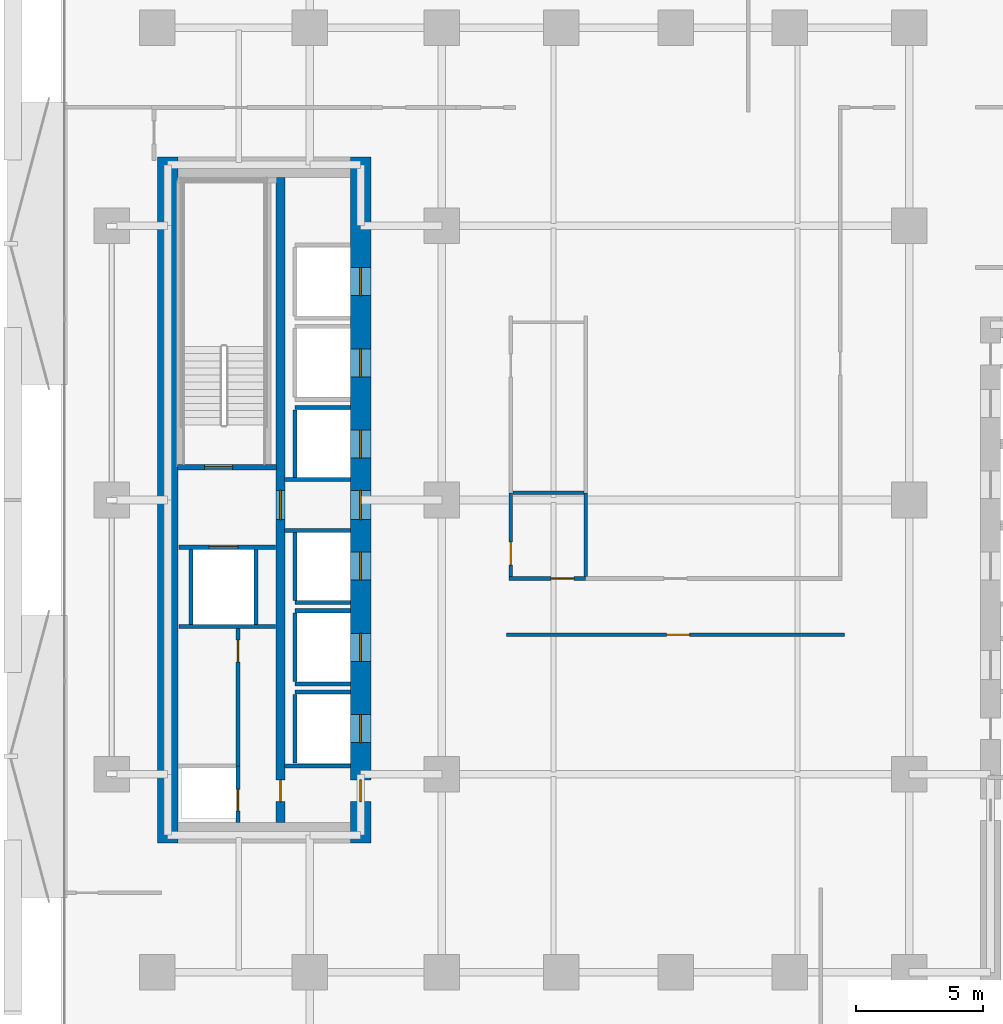
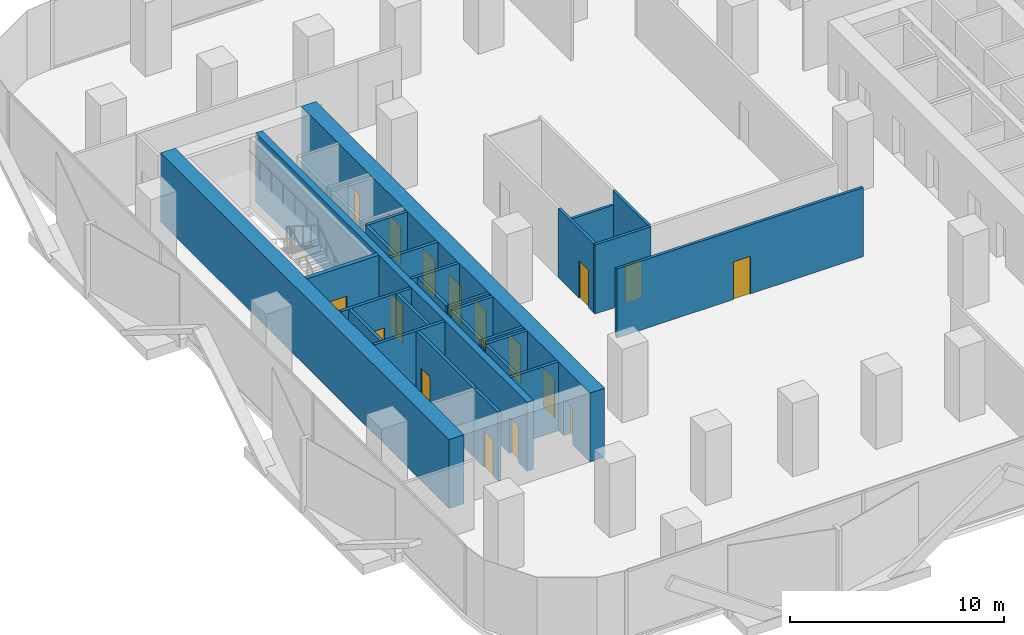
# One storey, part 3 of 15: 27 walls, 17 doors, 17 openings.
"""IFC4 building model written with IfcOpenShell, lengths in metres."""

from ifc_helpers import new_model, si_unit, direction, frame, frame_2d, origin, place, context, subcontext, project, spatial, rectangle, extrude, material, layer, layer_set, type_object, element, fill, save


model = new_model("IFC4")

# Units and contexts
model_context = context("Model", 3, precision=1e-05, world=origin(), true_north=direction((0.0, 1.0)))
body_context = subcontext(model_context, "Body", "Model", "MODEL_VIEW")
ifc_project = project(units=[si_unit("LENGTHUNIT", "METRE"), si_unit("AREAUNIT", "SQUARE_METRE"), si_unit("VOLUMEUNIT", "CUBIC_METRE"), si_unit("PLANEANGLEUNIT", "RADIAN"), si_unit("MASSUNIT", "GRAM", prefix="KILO")], contexts=[model_context])

# Site, building, storey
site_placement = place(None, origin())
site = spatial("IfcSite", under=ifc_project, at=site_placement, CompositionType="ELEMENT")
building_placement = place(site_placement, origin())
building = spatial("IfcBuilding", under=site, at=building_placement, Name="Khairoan Windgate Tower", CompositionType="ELEMENT")
storey_placement = place(building_placement, frame((0.0, 0.0, 34.39990234375)))
storey = spatial("IfcBuildingStorey", under=building, at=storey_placement, Name="L08", CompositionType="ELEMENT", Elevation=34.39990234375)

# Walls
ifc_material_1 = material(Name="Concrete C40/50", Category="concrete")
ifc_layer_1 = layer(ifc_material_1, 0.159912109375, Name="Concrete C40/50")
ifc_layer_set_1 = layer_set([ifc_layer_1], Name="Concrete C40/50")
wall_type_1 = type_object("IfcWallType", Name="Core and Hoistway Enclosure Wall", PredefinedType="STANDARD", material=ifc_layer_set_1)
wall_1_placement = place(storey_placement, frame((-14.989990234375, 3.639892578125, 0.0), z_axis=(0.0, 0.0, 1.0), x_axis=(1.0, 0.0, 0.0)))
element("IfcWall", 1, at=wall_1_placement, inside=storey, type_object=wall_type_1, Name="L08 Lift PL3 Hoistway Divider N", PredefinedType="STANDARD", context=body_context, shape_type="SweptSolid", body=[
    extrude(rectangle(XDim=2.18994140625, YDim=0.159912109375, at=frame_2d((1.094970703125, 0.0))), origin(), (0.0, 0.0, 1.0), 3.940185546875),
])
wall_2_placement = place(storey_placement, frame((-14.989990234375, 0.85009765625, 0.0), z_axis=(0.0, 0.0, 1.0), x_axis=(0.0, 1.0, 0.0)))
element("IfcWall", 2, at=wall_2_placement, inside=storey, type_object=wall_type_1, Name="L08 Lift PL3 Hoistway Back Wall", PredefinedType="STANDARD", context=body_context, shape_type="SweptSolid", body=[
    extrude(rectangle(XDim=2.699951171875, YDim=0.159912109375, at=frame_2d((1.35009765625, 0.0))), origin(), (0.0, 0.0, 1.0), 3.940185546875),
])
wall_3_placement = place(storey_placement, frame((-14.989990234375, -4.0400390625, 0.0), z_axis=(0.0, 0.0, 1.0), x_axis=(1.0, 0.0, 0.0)))
element("IfcWall", 3, at=wall_3_placement, inside=storey, type_object=wall_type_1, Name="L08 Lift PL4 Hoistway Divider S", PredefinedType="STANDARD", context=body_context, shape_type="SweptSolid", body=[
    extrude(rectangle(XDim=2.18994140625, YDim=0.159912109375, at=frame_2d((1.094970703125, 0.0))), origin(), (0.0, 0.0, 1.0), 3.940185546875),
])
wall_4_placement = place(storey_placement, frame((-14.989990234375, -3.949951171875, 0.0), z_axis=(0.0, 0.0, 1.0), x_axis=(0.0, 1.0, 0.0)))
element("IfcWall", 4, at=wall_4_placement, inside=storey, type_object=wall_type_1, Name="L08 Lift PL4 Hoistway Back Wall", PredefinedType="STANDARD", context=body_context, shape_type="SweptSolid", body=[
    extrude(rectangle(XDim=2.699951171875, YDim=0.159912109375, at=frame_2d((1.35009765625, 0.0))), origin(), (0.0, 0.0, 1.0), 3.940185546875),
])
for number, where, z_axis, x_axis, name in (
    (5, (-14.989990234375, -7.239990234375, 0.0), (0.0, 0.0, 1.0), (1.0, 0.0, 0.0), "L08 Lift PL5 Hoistway Divider S"),
    (6, (-14.989990234375, -4.360107421875, 0.0), (0.0, 0.0, 1.0), (1.0, 0.0, 0.0), "L08 Lift PL5 Hoistway Divider N"),
):
    element("IfcWall", number, at=place(storey_placement, frame(where, z_axis=z_axis, x_axis=x_axis)), inside=storey, type_object=wall_type_1, Name=name, PredefinedType="STANDARD", context=body_context, shape_type="SweptSolid", body=[
        extrude(rectangle(XDim=2.18994140625, YDim=0.159912109375, at=frame_2d((1.094970703125, 0.0))), origin(), (0.0, 0.0, 1.0), 3.940185546875),
    ])
wall_5_placement = place(storey_placement, frame((-14.989990234375, -7.14990234375, 0.0), z_axis=(0.0, 0.0, 1.0), x_axis=(0.0, 1.0, 0.0)))
element("IfcWall", 7, at=wall_5_placement, inside=storey, type_object=wall_type_1, Name="L08 Lift PL5 Hoistway Back Wall", PredefinedType="STANDARD", context=body_context, shape_type="SweptSolid", body=[
    extrude(rectangle(XDim=2.699951171875, YDim=0.159912109375, at=frame_2d((1.35009765625, 0.0))), origin(), (0.0, 0.0, 1.0), 3.940185546875),
])
wall_6_placement = place(storey_placement, frame((-14.989990234375, -7.56005859375, 0.0), z_axis=(0.0, 0.0, 1.0), x_axis=(1.0, 0.0, 0.0)))
element("IfcWall", 8, at=wall_6_placement, inside=storey, type_object=wall_type_1, Name="L08 Lift PL6 Hoistway Divider N", PredefinedType="STANDARD", context=body_context, shape_type="SweptSolid", body=[
    extrude(rectangle(XDim=2.18994140625, YDim=0.159912109375, at=frame_2d((1.094970703125, 0.0))), origin(), (0.0, 0.0, 1.0), 3.940185546875),
])
wall_7_placement = place(storey_placement, frame((-14.989990234375, -10.35009765625, 0.0), z_axis=(0.0, 0.0, 1.0), x_axis=(0.0, 1.0, 0.0)))
element("IfcWall", 9, at=wall_7_placement, inside=storey, type_object=wall_type_1, Name="L08 Lift PL6 Hoistway Back Wall", PredefinedType="STANDARD", context=body_context, shape_type="SweptSolid", body=[
    extrude(rectangle(XDim=2.7001953125, YDim=0.159912109375, at=frame_2d((1.35009765625, 0.0))), origin(), (0.0, 0.0, 1.0), 3.940185546875),
])

# Wall, opening, door
wall_8_placement = place(storey_placement, frame((-19.550048828125, -1.860107421875, 0.0), z_axis=(0.0, 0.0, 1.0), x_axis=(1.0, 0.0, 0.0)))
wall_8 = element("IfcWall", 10, at=wall_8_placement, inside=storey, type_object=wall_type_1, Name="L08 Core Shaft Wall SW-FL2-L08", PredefinedType="STANDARD", context=body_context, shape_type="SweptSolid", body=[
    extrude(rectangle(XDim=3.800048828125, YDim=0.159912109375, at=frame_2d((1.89990234375, 0.0))), origin(), (0.0, 0.0, 1.0), 3.940185546875),
])
opening_1_placement = place(wall_8_placement, frame((1.179931640625, 0.0, 0.0)))
opening_1 = element("IfcOpeningElement", 11, at=opening_1_placement, cuts=wall_8, Name="Opening LD-FL", PredefinedType="OPENING", context=body_context, shape_type="SweptSolid", body=[
    extrude(rectangle(XDim=1.14990234375, YDim=2.199951171875, at=frame_2d((0.574951171875, 1.10009765625))), frame((0.0, 0.08984375, 0.0), z_axis=(0.0, -1.0, 0.0), x_axis=(1.0, 0.0, 0.0)), (0.0, 0.0, 1.0), 0.179931640625),
])
ifc_material_2 = material(Name="Steel S355", Category="steel")
door_type_1 = type_object("IfcDoorType", Name="Firefighting Lift Sliding Landing Door LD-FL 1150x2200", OperationType="DOUBLE_DOOR_SLIDING", PredefinedType="DOOR", material=ifc_material_2)
door_1_placement = place(opening_1_placement, origin())
door_1 = element("IfcDoor", 12, at=door_1_placement, inside=storey, type_object=door_type_1, Name="L08 Firefighting Lift FL2 Landing Door", OperationType="DOUBLE_DOOR_SLIDING", OverallHeight=2.199951171875, OverallWidth=1.14990234375, PredefinedType="DOOR", context=body_context, shape_type="SweptSolid", body=[
    extrude(rectangle(XDim=1.14990234375, YDim=2.199951171875, at=frame_2d((0.574951171875, 1.10009765625))), frame((0.0, 0.02490234375, 0.0), z_axis=(0.0, -1.0, 0.0), x_axis=(1.0, 0.0, 0.0)), (0.0, 0.0, 1.0), 0.050048828125),
])
fill(opening_1, door_1)

# Walls
wall_9_placement = place(storey_placement, frame((-19.550048828125, -4.97998046875, 0.0), z_axis=(0.0, 0.0, 1.0), x_axis=(1.0, 0.0, 0.0)))
element("IfcWall", 13, at=wall_9_placement, inside=storey, type_object=wall_type_1, Name="L08 Core Shaft Wall SW-FL2B-L08", PredefinedType="STANDARD", context=body_context, shape_type="SweptSolid", body=[
    extrude(rectangle(XDim=3.800048828125, YDim=0.159912109375, at=frame_2d((1.89990234375, 0.0))), origin(), (0.0, 0.0, 1.0), 3.940185546875),
])
for number, where, z_axis, x_axis, name in (
    (14, (-19.080078125, -4.89990234375, 0.0), (0.0, 0.0, 1.0), (0.0, 1.0, 0.0), "L08 Core Shaft Wall SW-FL2W-L08"),
    (15, (-16.52001953125, -4.89990234375, 0.0), (0.0, 0.0, 1.0), (0.0, 1.0, 0.0), "L08 Core Shaft Wall SW-FL2E-L08"),
):
    element("IfcWall", number, at=place(storey_placement, frame(where, z_axis=z_axis, x_axis=x_axis)), inside=storey, type_object=wall_type_1, Name=name, PredefinedType="STANDARD", context=body_context, shape_type="SweptSolid", body=[
        extrude(rectangle(XDim=2.9599609375, YDim=0.159912109375, at=frame_2d((1.47998046875, 0.0))), origin(), (0.0, 0.0, 1.0), 3.940185546875),
    ])
for number, where, z_axis, x_axis, name in (
    (16, (-15.39990234375, 0.800048828125, 0.0), (0.0, 0.0, 1.0), (1.0, 0.0, 0.0), "L08 Core Shaft Wall SW-WV1-L08"),
    (17, (-15.39990234375, -1.199951171875, 0.0), (0.0, 0.0, 1.0), (1.0, 0.0, 0.0), "L08 Core Shaft Wall SW-WV2-L08"),
    (18, (-15.39990234375, -10.47998046875, 0.0), (0.0, 0.0, 1.0), (1.0, 0.0, 0.0), "L08 Core Shaft Wall SW-WSV-L08"),
):
    element("IfcWall", number, at=place(storey_placement, frame(where, z_axis=z_axis, x_axis=x_axis)), inside=storey, type_object=wall_type_1, Name=name, PredefinedType="STANDARD", context=body_context, shape_type="SweptSolid", body=[
        extrude(rectangle(XDim=2.599853515625, YDim=0.159912109375, at=frame_2d((1.2998046875, 0.0))), origin(), (0.0, 0.0, 1.0), 3.940185546875),
    ])
ifc_material_3 = material(Name="Acoustic Fire-Rated Gypsum Partition", Category="gypsum")
ifc_layer_2 = layer(ifc_material_3, 0.139892578125, Name="Acoustic Fire-Rated Gypsum Partition")
ifc_layer_set_2 = layer_set([ifc_layer_2], Name="Acoustic Fire-Rated Gypsum Partition")
wall_type_2 = type_object("IfcWallType", Name="Inter-Tenancy Compartment Wall", PredefinedType="PARTITIONING", material=ifc_layer_set_2)
wall_10_placement = place(storey_placement, frame((-6.409912109375, 0.280029296875, 0.0), z_axis=(0.0, 0.0, 1.0), x_axis=(1.0, 0.0, 0.0)))
element("IfcWall", 19, at=wall_10_placement, inside=storey, type_object=wall_type_2, Name="L08 Interior Partition 029", PredefinedType="PARTITIONING", context=body_context, shape_type="SweptSolid", body=[
    extrude(rectangle(XDim=2.7998046875, YDim=0.139892578125, at=frame_2d((1.39990234375, 0.0))), origin(), (0.0, 0.0, 1.0), 3.14013671875),
])
wall_11_placement = place(storey_placement, frame((-3.5400390625, -3.02001953125, 0.0), z_axis=(0.0, 0.0, 1.0), x_axis=(0.0, 1.0, 0.0)))
element("IfcWall", 20, at=wall_11_placement, inside=storey, type_object=wall_type_2, Name="L08 Interior Partition 030", PredefinedType="PARTITIONING", context=body_context, shape_type="SweptSolid", body=[
    extrude(rectangle(XDim=3.300048828125, YDim=0.139892578125, at=frame_2d((1.64990234375, 0.0))), origin(), (0.0, 0.0, 1.0), 3.940185546875),
])

# Wall, opening, door
ifc_material_4 = material(Name="Concrete C40/50", Category="concrete")
ifc_layer_3 = layer(ifc_material_4, 0.159912109375, Name="Concrete C40/50")
ifc_layer_set_3 = layer_set([ifc_layer_3], Name="Concrete C40/50")
wall_type_3 = type_object("IfcWallType", Name="Plant and Refuge Compartment Wall", PredefinedType="PARTITIONING", material=ifc_layer_set_3)
wall_12_placement = place(storey_placement, frame((-17.22998046875, -12.699951171875, 0.0), z_axis=(0.0, 0.0, 1.0), x_axis=(0.0, 1.0, 0.0)))
wall_12 = element("IfcWall", 21, at=wall_12_placement, inside=storey, type_object=wall_type_3, Name="L08 Interior Partition 001", PredefinedType="PARTITIONING", context=body_context, shape_type="SweptSolid", body=[
    extrude(rectangle(XDim=2.22998046875, YDim=0.159912109375, at=frame_2d((1.114990234375, 0.0))), origin(), (0.0, 0.0, 1.0), 3.940185546875),
])
opening_2_placement = place(wall_12_placement, frame((0.4599609375, 0.0, 0.0)))
opening_2 = element("IfcOpeningElement", 22, at=opening_2_placement, cuts=wall_12, Name="Opening FD-SRV", PredefinedType="OPENING", context=body_context, shape_type="SweptSolid", body=[
    extrude(rectangle(XDim=0.85009765625, YDim=2.10009765625, at=frame_2d((0.425048828125, 1.050048828125))), frame((0.0, 0.08984375, 0.0), z_axis=(0.0, -1.0, 0.0), x_axis=(1.0, 0.0, 0.0)), (0.0, 0.0, 1.0), 0.179931640625),
])
ifc_material_5 = material(Name="Steel S355", Category="steel")
door_type_2 = type_object("IfcDoorType", Name="Core Service and Riser Fire Door FD-SRV 850x2100", OperationType="NOTDEFINED", PredefinedType="DOOR", material=ifc_material_5)
door_2_placement = place(opening_2_placement, origin())
door_2 = element("IfcDoor", 23, at=door_2_placement, inside=storey, type_object=door_type_2, Name="L08 L08-04-L08-05 Door", OperationType="SINGLE_SWING_LEFT", OverallHeight=2.10009765625, OverallWidth=0.85009765625, PredefinedType="DOOR", context=body_context, shape_type="SweptSolid", body=[
    extrude(rectangle(XDim=0.85009765625, YDim=2.10009765625, at=frame_2d((0.425048828125, 1.050048828125))), frame((0.0, 0.02490234375, 0.0), z_axis=(0.0, -1.0, 0.0), x_axis=(1.0, 0.0, 0.0)), (0.0, 0.0, 1.0), 0.050048828125),
])
fill(opening_2, door_2)

wall_13_placement = place(storey_placement, frame((-17.22998046875, -10.469970703125, 0.0), z_axis=(0.0, 0.0, 1.0), x_axis=(0.0, 1.0, 0.0)))
wall_13 = element("IfcWall", 24, at=wall_13_placement, inside=storey, type_object=wall_type_3, Name="L08 Interior Partition 002", PredefinedType="PARTITIONING", context=body_context, shape_type="SweptSolid", body=[
    extrude(rectangle(XDim=5.409912109375, YDim=0.159912109375, at=frame_2d((2.705078125, 0.0))), origin(), (0.0, 0.0, 1.0), 3.940185546875),
])
opening_3_placement = place(wall_13_placement, frame((4.10009765625, 0.0, 0.0)))
opening_3 = element("IfcOpeningElement", 25, at=opening_3_placement, cuts=wall_13, Name="Opening FD-SRV", PredefinedType="OPENING", context=body_context, shape_type="SweptSolid", body=[
    extrude(rectangle(XDim=0.85009765625, YDim=2.10009765625, at=frame_2d((0.425048828125, 1.050048828125))), frame((0.0, 0.08984375, 0.0), z_axis=(0.0, -1.0, 0.0), x_axis=(1.0, 0.0, 0.0)), (0.0, 0.0, 1.0), 0.179931640625),
])
door_3_placement = place(opening_3_placement, origin())
door_3 = element("IfcDoor", 26, at=door_3_placement, inside=storey, type_object=door_type_2, Name="L08 L08-04-L08-06 Door", OperationType="SINGLE_SWING_RIGHT", OverallHeight=2.10009765625, OverallWidth=0.85009765625, PredefinedType="DOOR", context=body_context, shape_type="SweptSolid", body=[
    extrude(rectangle(XDim=0.85009765625, YDim=2.10009765625, at=frame_2d((0.425048828125, 1.050048828125))), frame((0.0, 0.02490234375, 0.0), z_axis=(0.0, -1.0, 0.0), x_axis=(1.0, 0.0, 0.0)), (0.0, 0.0, 1.0), 0.050048828125),
])
fill(opening_3, door_3)

ifc_material_6 = material(Name="Acoustic Fire-Rated Gypsum Partition", Category="gypsum")
ifc_layer_4 = layer(ifc_material_6, 0.14990234375, Name="Acoustic Fire-Rated Gypsum Partition")
ifc_layer_set_4 = layer_set([ifc_layer_4], Name="Acoustic Fire-Rated Gypsum Partition")
wall_type_4 = type_object("IfcWallType", Name="Rated Corridor Partition Wall", PredefinedType="PARTITIONING", material=ifc_layer_set_4)
wall_14_placement = place(storey_placement, frame((-6.56005859375, -3.094970703125, 0.0), z_axis=(0.0, 0.0, 1.0), x_axis=(1.0, 0.0, 0.0)))
wall_14 = element("IfcWall", 27, at=wall_14_placement, inside=storey, type_object=wall_type_4, Name="L08 Interior Partition 011", PredefinedType="PARTITIONING", context=body_context, shape_type="SweptSolid", body=[
    extrude(rectangle(XDim=3.02001953125, YDim=0.14990234375, at=frame_2d((1.510009765625, 0.0))), origin(), (0.0, 0.0, 1.0), 3.940185546875),
])
opening_4_placement = place(wall_14_placement, frame((1.659912109375, 0.0, 0.0)))
opening_4 = element("IfcOpeningElement", 28, at=opening_4_placement, cuts=wall_14, Name="Opening FD-ENT", PredefinedType="OPENING", context=body_context, shape_type="SweptSolid", body=[
    extrude(rectangle(XDim=0.89990234375, YDim=2.14990234375, at=frame_2d((0.449951171875, 1.074951171875))), frame((0.0, 0.0849609375, 0.0), z_axis=(0.0, -1.0, 0.0), x_axis=(1.0, 0.0, 0.0)), (0.0, 0.0, 1.0), 0.169921875),
])
ifc_material_7 = material(Name="Timber Fire-Rated Core", Category="wood")
door_type_3 = type_object("IfcDoorType", Name="Unit and Office Fire Entrance Door FD-ENT 900x2150", OperationType="NOTDEFINED", PredefinedType="DOOR", material=ifc_material_7)
door_4_placement = place(opening_4_placement, origin())
door_4 = element("IfcDoor", 29, at=door_4_placement, inside=storey, type_object=door_type_3, Name="L08 L08-31-L08-43 Door", OperationType="SINGLE_SWING_LEFT", OverallHeight=2.14990234375, OverallWidth=0.89990234375, PredefinedType="DOOR", context=body_context, shape_type="SweptSolid", body=[
    extrude(rectangle(XDim=0.89990234375, YDim=2.14990234375, at=frame_2d((0.449951171875, 1.074951171875))), frame((0.0, 0.02490234375, 0.0), z_axis=(0.0, -1.0, 0.0), x_axis=(1.0, 0.0, 0.0)), (0.0, 0.0, 1.0), 0.050048828125),
])
fill(opening_4, door_4)

wall_15_placement = place(storey_placement, frame((-6.659912109375, -5.304931640625, 0.0), z_axis=(0.0, 0.0, 1.0), x_axis=(1.0, 0.0, 0.0)))
wall_15 = element("IfcWall", 30, at=wall_15_placement, inside=storey, type_object=wall_type_4, Name="L08 Interior Partition 013", PredefinedType="PARTITIONING", context=body_context, shape_type="SweptSolid", body=[
    extrude(rectangle(XDim=13.31982421875, YDim=0.14990234375, at=frame_2d((6.659912109375, 0.0))), origin(), (0.0, 0.0, 1.0), 3.940185546875),
])
opening_5_placement = place(wall_15_placement, frame((6.310791015625, 0.0, 0.0)))
opening_5 = element("IfcOpeningElement", 31, at=opening_5_placement, cuts=wall_15, Name="Opening FD-ENT", PredefinedType="OPENING", context=body_context, shape_type="SweptSolid", body=[
    extrude(rectangle(XDim=0.89990234375, YDim=2.14990234375, at=frame_2d((0.449951171875, 1.074951171875))), frame((0.0, 0.0849609375, 0.0), z_axis=(0.0, -1.0, 0.0), x_axis=(1.0, 0.0, 0.0)), (0.0, 0.0, 1.0), 0.169921875),
])
door_5_placement = place(opening_5_placement, origin())
door_5 = element("IfcDoor", 32, at=door_5_placement, inside=storey, type_object=door_type_3, Name="L08 L08-31-L08-46 Door", OperationType="SINGLE_SWING_LEFT", OverallHeight=2.14990234375, OverallWidth=0.89990234375, PredefinedType="DOOR", context=body_context, shape_type="SweptSolid", body=[
    extrude(rectangle(XDim=0.89990234375, YDim=2.14990234375, at=frame_2d((0.449951171875, 1.074951171875))), frame((0.0, 0.02490234375, 0.0), z_axis=(0.0, -1.0, 0.0), x_axis=(1.0, 0.0, 0.0)), (0.0, 0.0, 1.0), 0.050048828125),
])
fill(opening_5, door_5)

wall_16_placement = place(storey_placement, frame((-6.485107421875, -3.02001953125, 0.0), z_axis=(0.0, 0.0, 1.0), x_axis=(0.0, 1.0, 0.0)))
wall_16 = element("IfcWall", 33, at=wall_16_placement, inside=storey, type_object=wall_type_4, Name="L08 Interior Partition 015", PredefinedType="PARTITIONING", context=body_context, shape_type="SweptSolid", body=[
    extrude(rectangle(XDim=3.300048828125, YDim=0.14990234375, at=frame_2d((1.64990234375, 0.0))), origin(), (0.0, 0.0, 1.0), 3.940185546875),
])
opening_6_placement = place(wall_16_placement, frame((0.4599609375, 0.0, 0.0)))
opening_6 = element("IfcOpeningElement", 34, at=opening_6_placement, cuts=wall_16, Name="Opening FD-ENT", PredefinedType="OPENING", context=body_context, shape_type="SweptSolid", body=[
    extrude(rectangle(XDim=0.89990234375, YDim=2.14990234375, at=frame_2d((0.449951171875, 1.074951171875))), frame((0.0, 0.0849609375, 0.0), z_axis=(0.0, -1.0, 0.0), x_axis=(1.0, 0.0, 0.0)), (0.0, 0.0, 1.0), 0.169921875),
])
door_6_placement = place(opening_6_placement, origin())
door_6 = element("IfcDoor", 35, at=door_6_placement, inside=storey, type_object=door_type_3, Name="L08 L08-32-L08-43 Door", OperationType="SINGLE_SWING_LEFT", OverallHeight=2.14990234375, OverallWidth=0.89990234375, PredefinedType="DOOR", context=body_context, shape_type="SweptSolid", body=[
    extrude(rectangle(XDim=0.89990234375, YDim=2.14990234375, at=frame_2d((0.449951171875, 1.074951171875))), frame((0.0, 0.02490234375, 0.0), z_axis=(0.0, -1.0, 0.0), x_axis=(1.0, 0.0, 0.0)), (0.0, 0.0, 1.0), 0.050048828125),
])
fill(opening_6, door_6)

# Wall
ifc_material_8 = material(Name="Concrete C70/85", Category="concrete")
ifc_layer_5 = layer(ifc_material_8, 0.800048828125, Name="Concrete C70/85")
ifc_layer_set_5 = layer_set([ifc_layer_5], Name="Concrete C70/85")
wall_type_5 = type_object("IfcWallType", Name="Shear Wall CW-W1 800mm", PredefinedType="SHEAR", material=ifc_layer_set_5)
wall_17_placement = place(storey_placement, frame((-20.0, -13.5, 0.0), z_axis=(0.0, 0.0, 1.0), x_axis=(0.0, 1.0, 0.0)))
element("IfcWall", 36, at=wall_17_placement, inside=storey, type_object=wall_type_5, Name="W Core West Shear Wall L08", PredefinedType="SHEAR", context=body_context, shape_type="SweptSolid", body=[
    extrude(rectangle(XDim=27.0, YDim=0.800048828125, at=frame_2d((13.5, 0.0))), origin(), (0.0, 0.0, 1.0), 3.940185546875),
])

# Wall, openings, doors
wall_18_placement = place(storey_placement, frame((-12.39990234375, -13.5, 0.0), z_axis=(0.0, 0.0, 1.0), x_axis=(0.0, 1.0, 0.0)))
wall_18 = element("IfcWall", 37, at=wall_18_placement, inside=storey, type_object=wall_type_5, Name="W Core East Shear Wall L08", PredefinedType="SHEAR", context=body_context, shape_type="SweptSolid", body=[
    extrude(rectangle(XDim=27.0, YDim=0.800048828125, at=frame_2d((13.5, 0.0))), origin(), (0.0, 0.0, 1.0), 3.940185546875),
])
opening_7_placement = place(wall_18_placement, frame((21.550048828125, 0.0, 0.0)))
opening_7 = element("IfcOpeningElement", 38, at=opening_7_placement, cuts=wall_18, Name="Opening LD-PL", PredefinedType="OPENING", context=body_context, shape_type="SweptSolid", body=[
    extrude(rectangle(XDim=1.10009765625, YDim=2.199951171875, at=frame_2d((0.550048828125, 1.10009765625))), frame((0.0, 0.409912109375, 0.0), z_axis=(0.0, -1.0, 0.0), x_axis=(1.0, 0.0, 0.0)), (0.0, 0.0, 1.0), 0.820068359375),
])
opening_8_placement = place(wall_18_placement, frame((18.35009765625, 0.0, 0.0)))
opening_8 = element("IfcOpeningElement", 39, at=opening_8_placement, cuts=wall_18, Name="Opening LD-PL", PredefinedType="OPENING", context=body_context, shape_type="SweptSolid", body=[
    extrude(rectangle(XDim=1.10009765625, YDim=2.199951171875, at=frame_2d((0.550048828125, 1.10009765625))), frame((0.0, 0.409912109375, 0.0), z_axis=(0.0, -1.0, 0.0), x_axis=(1.0, 0.0, 0.0)), (0.0, 0.0, 1.0), 0.820068359375),
])
opening_9_placement = place(wall_18_placement, frame((15.14990234375, 0.0, 0.0)))
opening_9 = element("IfcOpeningElement", 40, at=opening_9_placement, cuts=wall_18, Name="Opening LD-PL", PredefinedType="OPENING", context=body_context, shape_type="SweptSolid", body=[
    extrude(rectangle(XDim=1.10009765625, YDim=2.199951171875, at=frame_2d((0.550048828125, 1.10009765625))), frame((0.0, 0.409912109375, 0.0), z_axis=(0.0, -1.0, 0.0), x_axis=(1.0, 0.0, 0.0)), (0.0, 0.0, 1.0), 0.820068359375),
])
opening_10_placement = place(wall_18_placement, frame((10.35009765625, 0.0, 0.0)))
opening_10 = element("IfcOpeningElement", 41, at=opening_10_placement, cuts=wall_18, Name="Opening LD-PL", PredefinedType="OPENING", context=body_context, shape_type="SweptSolid", body=[
    extrude(rectangle(XDim=1.10009765625, YDim=2.199951171875, at=frame_2d((0.550048828125, 1.10009765625))), frame((0.0, 0.409912109375, 0.0), z_axis=(0.0, -1.0, 0.0), x_axis=(1.0, 0.0, 0.0)), (0.0, 0.0, 1.0), 0.820068359375),
])
opening_11_placement = place(wall_18_placement, frame((7.14990234375, 0.0, 0.0)))
opening_11 = element("IfcOpeningElement", 42, at=opening_11_placement, cuts=wall_18, Name="Opening LD-PL", PredefinedType="OPENING", context=body_context, shape_type="SweptSolid", body=[
    extrude(rectangle(XDim=1.10009765625, YDim=2.199951171875, at=frame_2d((0.550048828125, 1.10009765625))), frame((0.0, 0.409912109375, 0.0), z_axis=(0.0, -1.0, 0.0), x_axis=(1.0, 0.0, 0.0)), (0.0, 0.0, 1.0), 0.820068359375),
])
opening_12_placement = place(wall_18_placement, frame((3.949951171875, 0.0, 0.0)))
opening_12 = element("IfcOpeningElement", 43, at=opening_12_placement, cuts=wall_18, Name="Opening LD-PL", PredefinedType="OPENING", context=body_context, shape_type="SweptSolid", body=[
    extrude(rectangle(XDim=1.10009765625, YDim=2.199951171875, at=frame_2d((0.550048828125, 1.10009765625))), frame((0.0, 0.409912109375, 0.0), z_axis=(0.0, -1.0, 0.0), x_axis=(1.0, 0.0, 0.0)), (0.0, 0.0, 1.0), 0.820068359375),
])
opening_13_placement = place(wall_18_placement, frame((12.72509765625, 0.0, 0.0)))
opening_13 = element("IfcOpeningElement", 44, at=opening_13_placement, cuts=wall_18, Name="Opening FD-FFL", PredefinedType="OPENING", context=body_context, shape_type="SweptSolid", body=[
    extrude(rectangle(XDim=1.14990234375, YDim=2.199951171875, at=frame_2d((0.574951171875, 1.10009765625))), frame((0.0, 0.409912109375, 0.0), z_axis=(0.0, -1.0, 0.0), x_axis=(1.0, 0.0, 0.0)), (0.0, 0.0, 1.0), 0.820068359375),
])
opening_14_placement = place(wall_18_placement, frame((1.625, 0.0, 0.0)))
opening_14 = element("IfcOpeningElement", 45, at=opening_14_placement, cuts=wall_18, Name="Opening FD-SRV", PredefinedType="OPENING", context=body_context, shape_type="SweptSolid", body=[
    extrude(rectangle(XDim=0.85009765625, YDim=2.10009765625, at=frame_2d((0.425048828125, 1.050048828125))), frame((0.0, 0.409912109375, 0.0), z_axis=(0.0, -1.0, 0.0), x_axis=(1.0, 0.0, 0.0)), (0.0, 0.0, 1.0), 0.820068359375),
])
door_7_placement = place(opening_14_placement, origin())
door_7 = element("IfcDoor", 46, at=door_7_placement, inside=storey, type_object=door_type_2, Name="L08 West Core Service Vestibule Outer Door", OperationType="SINGLE_SWING_LEFT", OverallHeight=2.10009765625, OverallWidth=0.85009765625, PredefinedType="DOOR", context=body_context, shape_type="SweptSolid", body=[
    extrude(rectangle(XDim=0.85009765625, YDim=2.10009765625, at=frame_2d((0.425048828125, 1.050048828125))), frame((0.0, 0.02490234375, 0.0), z_axis=(0.0, -1.0, 0.0), x_axis=(1.0, 0.0, 0.0)), (0.0, 0.0, 1.0), 0.050048828125),
])
fill(opening_14, door_7)
ifc_material_9 = material(Name="Steel S355", Category="steel")
door_type_4 = type_object("IfcDoorType", Name="Firefighting Lobby Fire Door FD-FFL 1150x2200", OperationType="NOTDEFINED", PredefinedType="DOOR", material=ifc_material_9)
door_8_placement = place(opening_13_placement, origin())
door_8 = element("IfcDoor", 47, at=door_8_placement, inside=storey, type_object=door_type_4, Name="L08 West Core Vestibule Entry Door", OperationType="SINGLE_SWING_LEFT", OverallHeight=2.199951171875, OverallWidth=1.14990234375, PredefinedType="DOOR", context=body_context, shape_type="SweptSolid", body=[
    extrude(rectangle(XDim=1.14990234375, YDim=2.199951171875, at=frame_2d((0.574951171875, 1.10009765625))), frame((0.0, 0.02490234375, 0.0), z_axis=(0.0, -1.0, 0.0), x_axis=(1.0, 0.0, 0.0)), (0.0, 0.0, 1.0), 0.050048828125),
])
fill(opening_13, door_8)
ifc_material_10 = material(Name="Anodised Bronze Aluminium 6063-T6", Category="aluminium")
door_type_5 = type_object("IfcDoorType", Name="Passenger Lift Sliding Landing Door LD-PL 1100x2200", OperationType="DOUBLE_DOOR_SLIDING", PredefinedType="DOOR", material=ifc_material_10)
door_9_placement = place(opening_7_placement, origin())
door_9 = element("IfcDoor", 48, at=door_9_placement, inside=storey, type_object=door_type_5, Name="L08 Lift PL1 Sliding Landing Door", OperationType="DOUBLE_DOOR_SLIDING", OverallHeight=2.199951171875, OverallWidth=1.10009765625, PredefinedType="DOOR", context=body_context, shape_type="SweptSolid", body=[
    extrude(rectangle(XDim=1.10009765625, YDim=2.199951171875, at=frame_2d((0.550048828125, 1.10009765625))), frame((0.0, 0.02490234375, 0.0), z_axis=(0.0, -1.0, 0.0), x_axis=(1.0, 0.0, 0.0)), (0.0, 0.0, 1.0), 0.050048828125),
])
fill(opening_7, door_9)
door_10_placement = place(opening_8_placement, origin())
door_10 = element("IfcDoor", 49, at=door_10_placement, inside=storey, type_object=door_type_5, Name="L08 Lift PL2 Sliding Landing Door", OperationType="DOUBLE_DOOR_SLIDING", OverallHeight=2.199951171875, OverallWidth=1.10009765625, PredefinedType="DOOR", context=body_context, shape_type="SweptSolid", body=[
    extrude(rectangle(XDim=1.10009765625, YDim=2.199951171875, at=frame_2d((0.550048828125, 1.10009765625))), frame((0.0, 0.02490234375, 0.0), z_axis=(0.0, -1.0, 0.0), x_axis=(1.0, 0.0, 0.0)), (0.0, 0.0, 1.0), 0.050048828125),
])
fill(opening_8, door_10)
door_11_placement = place(opening_9_placement, origin())
door_11 = element("IfcDoor", 50, at=door_11_placement, inside=storey, type_object=door_type_5, Name="L08 Lift PL3 Sliding Landing Door", OperationType="DOUBLE_DOOR_SLIDING", OverallHeight=2.199951171875, OverallWidth=1.10009765625, PredefinedType="DOOR", context=body_context, shape_type="SweptSolid", body=[
    extrude(rectangle(XDim=1.10009765625, YDim=2.199951171875, at=frame_2d((0.550048828125, 1.10009765625))), frame((0.0, 0.02490234375, 0.0), z_axis=(0.0, -1.0, 0.0), x_axis=(1.0, 0.0, 0.0)), (0.0, 0.0, 1.0), 0.050048828125),
])
fill(opening_9, door_11)
door_12_placement = place(opening_10_placement, origin())
door_12 = element("IfcDoor", 51, at=door_12_placement, inside=storey, type_object=door_type_5, Name="L08 Lift PL4 Sliding Landing Door", OperationType="DOUBLE_DOOR_SLIDING", OverallHeight=2.199951171875, OverallWidth=1.10009765625, PredefinedType="DOOR", context=body_context, shape_type="SweptSolid", body=[
    extrude(rectangle(XDim=1.10009765625, YDim=2.199951171875, at=frame_2d((0.550048828125, 1.10009765625))), frame((0.0, 0.02490234375, 0.0), z_axis=(0.0, -1.0, 0.0), x_axis=(1.0, 0.0, 0.0)), (0.0, 0.0, 1.0), 0.050048828125),
])
fill(opening_10, door_12)
door_13_placement = place(opening_11_placement, origin())
door_13 = element("IfcDoor", 52, at=door_13_placement, inside=storey, type_object=door_type_5, Name="L08 Lift PL5 Sliding Landing Door", OperationType="DOUBLE_DOOR_SLIDING", OverallHeight=2.199951171875, OverallWidth=1.10009765625, PredefinedType="DOOR", context=body_context, shape_type="SweptSolid", body=[
    extrude(rectangle(XDim=1.10009765625, YDim=2.199951171875, at=frame_2d((0.550048828125, 1.10009765625))), frame((0.0, 0.02490234375, 0.0), z_axis=(0.0, -1.0, 0.0), x_axis=(1.0, 0.0, 0.0)), (0.0, 0.0, 1.0), 0.050048828125),
])
fill(opening_11, door_13)
door_14_placement = place(opening_12_placement, origin())
door_14 = element("IfcDoor", 53, at=door_14_placement, inside=storey, type_object=door_type_5, Name="L08 Lift PL6 Sliding Landing Door", OperationType="DOUBLE_DOOR_SLIDING", OverallHeight=2.199951171875, OverallWidth=1.10009765625, PredefinedType="DOOR", context=body_context, shape_type="SweptSolid", body=[
    extrude(rectangle(XDim=1.10009765625, YDim=2.199951171875, at=frame_2d((0.550048828125, 1.10009765625))), frame((0.0, 0.02490234375, 0.0), z_axis=(0.0, -1.0, 0.0), x_axis=(1.0, 0.0, 0.0)), (0.0, 0.0, 1.0), 0.050048828125),
])
fill(opening_12, door_14)

ifc_material_11 = material(Name="Concrete C60/75", Category="concrete")
ifc_layer_6 = layer(ifc_material_11, 0.35009765625, Name="Concrete C60/75")
ifc_layer_set_6 = layer_set([ifc_layer_6], Name="Concrete C60/75")
wall_type_6 = type_object("IfcWallType", Name="Shear Wall SW-1 350mm", PredefinedType="SHEAR", material=ifc_layer_set_6)
wall_19_placement = place(storey_placement, frame((-15.550048828125, -12.699951171875, 0.0), z_axis=(0.0, 0.0, 1.0), x_axis=(0.0, 1.0, 0.0)))
wall_19 = element("IfcWall", 54, at=wall_19_placement, inside=storey, type_object=wall_type_6, Name="W Core Spine Shear Wall L08", PredefinedType="SHEAR", context=body_context, shape_type="SweptSolid", body=[
    extrude(rectangle(XDim=25.39990234375, YDim=0.35009765625, at=frame_2d((12.699951171875, 0.0))), origin(), (0.0, 0.0, 1.0), 3.940185546875),
])
opening_15_placement = place(wall_19_placement, frame((11.925048828125, 0.0, 0.0)))
opening_15 = element("IfcOpeningElement", 55, at=opening_15_placement, cuts=wall_19, Name="Opening FD-FFL", PredefinedType="OPENING", context=body_context, shape_type="SweptSolid", body=[
    extrude(rectangle(XDim=1.14990234375, YDim=2.199951171875, at=frame_2d((0.574951171875, 1.10009765625))), frame((0.0, 0.18505859375, 0.0), z_axis=(0.0, -1.0, 0.0), x_axis=(1.0, 0.0, 0.0)), (0.0, 0.0, 1.0), 0.3701171875),
])
opening_16_placement = place(wall_19_placement, frame((0.824951171875, 0.0, 0.0)))
opening_16 = element("IfcOpeningElement", 56, at=opening_16_placement, cuts=wall_19, Name="Opening FD-SRV", PredefinedType="OPENING", context=body_context, shape_type="SweptSolid", body=[
    extrude(rectangle(XDim=0.85009765625, YDim=2.10009765625, at=frame_2d((0.425048828125, 1.050048828125))), frame((0.0, 0.18505859375, 0.0), z_axis=(0.0, -1.0, 0.0), x_axis=(1.0, 0.0, 0.0)), (0.0, 0.0, 1.0), 0.3701171875),
])
door_15_placement = place(opening_16_placement, origin())
door_15 = element("IfcDoor", 57, at=door_15_placement, inside=storey, type_object=door_type_2, Name="L08 West Core Service Passage Inner Door", OperationType="SINGLE_SWING_RIGHT", OverallHeight=2.10009765625, OverallWidth=0.85009765625, PredefinedType="DOOR", context=body_context, shape_type="SweptSolid", body=[
    extrude(rectangle(XDim=0.85009765625, YDim=2.10009765625, at=frame_2d((0.425048828125, 1.050048828125))), frame((0.0, 0.02490234375, 0.0), z_axis=(0.0, -1.0, 0.0), x_axis=(1.0, 0.0, 0.0)), (0.0, 0.0, 1.0), 0.050048828125),
])
fill(opening_16, door_15)
door_16_placement = place(opening_15_placement, origin())
door_16 = element("IfcDoor", 58, at=door_16_placement, inside=storey, type_object=door_type_4, Name="L08 West Firefighting Lobby Fire Door", OperationType="SINGLE_SWING_RIGHT", OverallHeight=2.199951171875, OverallWidth=1.14990234375, PredefinedType="DOOR", context=body_context, shape_type="SweptSolid", body=[
    extrude(rectangle(XDim=1.14990234375, YDim=2.199951171875, at=frame_2d((0.574951171875, 1.10009765625))), frame((0.0, 0.02490234375, 0.0), z_axis=(0.0, -1.0, 0.0), x_axis=(1.0, 0.0, 0.0)), (0.0, 0.0, 1.0), 0.050048828125),
])
fill(opening_15, door_16)

# Wall, opening, door
ifc_material_12 = material(Name="Concrete C50/60", Category="concrete")
ifc_layer_7 = layer(ifc_material_12, 0.219970703125, Name="Concrete C50/60")
ifc_layer_set_7 = layer_set([ifc_layer_7], Name="Concrete C50/60")
wall_type_7 = type_object("IfcWallType", Name="Shear Wall SW-ST 220mm", PredefinedType="SHEAR", material=ifc_layer_set_7)
wall_20_placement = place(storey_placement, frame((-19.6201171875, 1.2900390625, 0.0), z_axis=(0.0, 0.0, 1.0), x_axis=(1.0, 0.0, 0.0)))
wall_20 = element("IfcWall", 59, at=wall_20_placement, inside=storey, type_object=wall_type_7, Name="L08 Stair ST2 South Bearing Wall", PredefinedType="SHEAR", context=body_context, shape_type="SweptSolid", body=[
    extrude(rectangle(XDim=3.9150390625, YDim=0.219970703125, at=frame_2d((1.95751953125, 0.0))), origin(), (0.0, 0.0, 1.0), 3.940185546875),
])
opening_17_placement = place(wall_20_placement, frame((1.080078125, 0.0, 0.0)))
opening_17 = element("IfcOpeningElement", 60, at=opening_17_placement, cuts=wall_20, Name="Opening FD-ST", PredefinedType="OPENING", context=body_context, shape_type="SweptSolid", body=[
    extrude(rectangle(XDim=1.10009765625, YDim=2.199951171875, at=frame_2d((0.550048828125, 1.10009765625))), frame((0.0, 0.119873046875, 0.0), z_axis=(0.0, -1.0, 0.0), x_axis=(1.0, 0.0, 0.0)), (0.0, 0.0, 1.0), 0.239990234375),
])
ifc_material_13 = material(Name="Steel S355", Category="steel")
door_type_6 = type_object("IfcDoorType", Name="Smokeproof Stair Fire Door FD-ST 1100x2200", OperationType="NOTDEFINED", PredefinedType="DOOR", material=ifc_material_13)
door_17_placement = place(opening_17_placement, origin())
door_17 = element("IfcDoor", 61, at=door_17_placement, inside=storey, type_object=door_type_6, Name="L08 Stair ST2 Fire Door", OperationType="SINGLE_SWING_RIGHT", OverallHeight=2.199951171875, OverallWidth=1.10009765625, PredefinedType="DOOR", context=body_context, shape_type="SweptSolid", body=[
    extrude(rectangle(XDim=1.10009765625, YDim=2.199951171875, at=frame_2d((0.550048828125, 1.10009765625))), frame((0.0, 0.02490234375, 0.0), z_axis=(0.0, -1.0, 0.0), x_axis=(1.0, 0.0, 0.0)), (0.0, 0.0, 1.0), 0.050048828125),
])
fill(opening_17, door_17)

save(model, "model.ifc")
